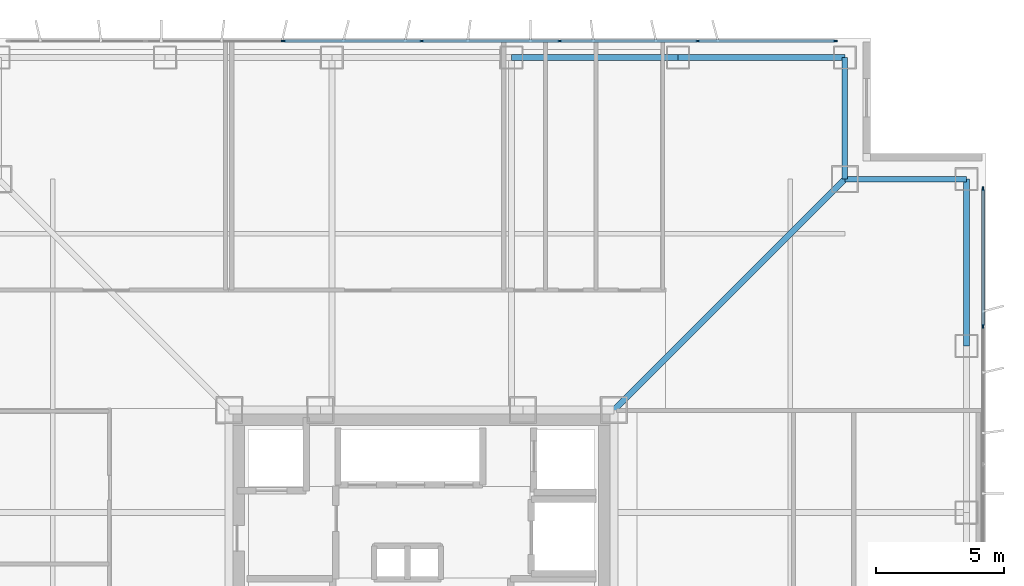
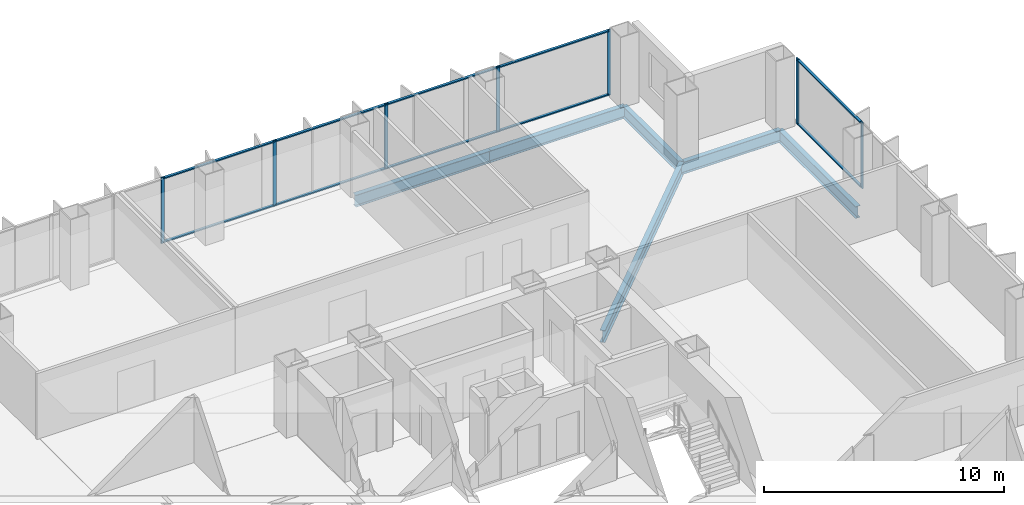
# One storey, part 11 of 17: 17 members, 6 beams, 2 elements without a shape of their own.
"""IFC4 building model written with IfcOpenShell, lengths in metres."""

from ifc_helpers import new_model, si_unit, direction, frame, origin, origin_2d, place, context, subcontext, project, spatial, rectangle, i_section, extrude, material, layer, layer_set, material_profile, profile_set, type_object, element, aggregate, save


model = new_model("IFC4")

# Units and contexts
model_context = context("Model", 3, precision=1e-05, world=origin(), true_north=direction((0.0, 1.0)))
body_context = subcontext(model_context, "Body", "Model", "MODEL_VIEW")
ifc_project = project(units=[si_unit("LENGTHUNIT", "METRE"), si_unit("AREAUNIT", "SQUARE_METRE"), si_unit("VOLUMEUNIT", "CUBIC_METRE"), si_unit("PLANEANGLEUNIT", "RADIAN"), si_unit("MASSUNIT", "GRAM", prefix="KILO")], contexts=[model_context])

# Site, building, storey
site_placement = place(None, origin())
site = spatial("IfcSite", under=ifc_project, at=site_placement, CompositionType="ELEMENT")
building_placement = place(site_placement, origin())
building = spatial("IfcBuilding", under=site, at=building_placement, Name="Trevonay Congress Spire", CompositionType="ELEMENT")
storey_placement = place(building_placement, frame((0.0, 0.0, 126.39990234375)))
storey = spatial("IfcBuildingStorey", under=building, at=storey_placement, Name="L32", CompositionType="ELEMENT", Elevation=126.39990234375)

# Beams
ifc_material_1 = material(Name="Steel ASTM A572 Grade 50", Category="steel")
ifc_material_profile_1 = material_profile(ifc_material_1, i_section(OverallWidth=0.22998046875, OverallDepth=0.616943359375, WebThickness=0.01318359375, FlangeThickness=0.022216796875, FilletRadius=0.01611328125, at=origin_2d()), Name="W610x140")
ifc_profile_set_1 = profile_set([ifc_material_profile_1], Name="Steel ASTM A572 Grade 50")
beam_type_1 = type_object("IfcBeamType", Name="BM-GIRD-W610X140", PredefinedType="BEAM", material=ifc_profile_set_1)
beam_placement = place(storey_placement, frame((7.5, 7.5, -0.54833984375), z_axis=(0.707106781187, 0.707106781187, 0.0), x_axis=(-0.707106781187, 0.707106781187, 0.0)))
element("IfcBeam", 1, at=beam_placement, inside=storey, type_object=beam_type_1, Name="L32 structural beam BM-L32-CDNE", PredefinedType="BEAM", context=body_context, shape_type="SweptSolid", body=[
    extrude(i_section(OverallWidth=0.22998046875, OverallDepth=0.616943359375, WebThickness=0.01318359375, FlangeThickness=0.022216796875, FilletRadius=0.01611328125, at=origin_2d()), origin(), (0.0, 0.0, 1.0), 12.72802734375),
])
ifc_material_profile_2 = material_profile(ifc_material_1, i_section(OverallWidth=0.22802734375, OverallDepth=0.60791015625, WebThickness=0.01123046875, FlangeThickness=0.017333984375, FilletRadius=0.01611328125, at=origin_2d()), Name="W610x113")
ifc_profile_set_2 = profile_set([ifc_material_profile_2], Name="Steel ASTM A572 Grade 50")
beam_type_2 = type_object("IfcBeamType", Name="BM-RING-W610X113", PredefinedType="BEAM", material=ifc_profile_set_2)
for number, where, z_axis, x_axis, name in (
    (2, (3.5, 21.25, -0.5439453125), (1.0, 0.0, 0.0), (0.0, 1.0, 0.0), "L32 structural beam BM-L32-PN4"),
    (3, (10.0, 21.25, -0.5439453125), (1.0, 0.0, 0.0), (0.0, 1.0, 0.0), "L32 structural beam BM-L32-PN5"),
    (4, (21.25, 10.0, -0.5439453125), (0.0, 1.0, 0.0), (-1.0, 0.0, 0.0), "L32 structural beam BM-L32-PE5"),
):
    element("IfcBeam", number, at=place(storey_placement, frame(where, z_axis=z_axis, x_axis=x_axis)), inside=storey, type_object=beam_type_2, Name=name, PredefinedType="BEAM", context=body_context, shape_type="SweptSolid", body=[
        extrude(i_section(OverallWidth=0.22802734375, OverallDepth=0.60791015625, WebThickness=0.01123046875, FlangeThickness=0.017333984375, FilletRadius=0.01611328125, at=origin_2d()), origin(), (0.0, 0.0, 1.0), 6.5),
    ])
for number, where, z_axis, x_axis, name in (
    (5, (16.5, 21.25, -0.5439453125), (0.0, -1.0, 0.0), (1.0, 0.0, 0.0), "L32 structural beam BM-L32-N1NE"),
    (6, (21.25, 16.5, -0.5439453125), (-1.0, 0.0, 0.0), (0.0, -1.0, 0.0), "L32 structural beam BM-L32-N2NE"),
):
    element("IfcBeam", number, at=place(storey_placement, frame(where, z_axis=z_axis, x_axis=x_axis)), inside=storey, type_object=beam_type_2, Name=name, PredefinedType="BEAM", context=body_context, shape_type="SweptSolid", body=[
        extrude(i_section(OverallWidth=0.22802734375, OverallDepth=0.60791015625, WebThickness=0.01123046875, FlangeThickness=0.017333984375, FilletRadius=0.01611328125, at=origin_2d()), origin(), (0.0, 0.0, 1.0), 4.75),
    ])

# Curtain wall, members
ifc_material_2 = material(Name="Pale Anodised Aluminium EN AW-6063-T6", Category="aluminium")
ifc_layer = layer(ifc_material_2, 0.175048828125, Name="Pale Anodised Aluminium EN AW-6063-T6")
ifc_layer_set = layer_set([ifc_layer], Name="Pale Anodised Aluminium EN AW-6063-T6")
curtain_wall_type = type_object("IfcCurtainWallType", Name="CW-SYS03-CONGRESS-PALE-METAL", PredefinedType="NOTDEFINED", material=ifc_layer_set)
curtain_wall_1_placement = place(storey_placement, origin())
curtain_wall_1 = element("IfcCurtainWall", 7, at=curtain_wall_1_placement, inside=storey, type_object=curtain_wall_type, Name="L32 N unitised curtain wall", PredefinedType="NOTDEFINED")
ifc_material_profile_3 = material_profile(ifc_material_2, rectangle(XDim=0.06005859375, YDim=0.159912109375, at=origin_2d()), Name="CW-MULLION-160-ALUMINIUM")
ifc_profile_set_3 = profile_set([ifc_material_profile_3], Name="Pale Anodised Aluminium EN AW-6063-T6")
member_type_1 = type_object("IfcMemberType", Name="CW-MULLION-160-ALUMINIUM", PredefinedType="MULLION", material=ifc_profile_set_3)
member_1_placement = place(storey_placement, frame((-5.38330078125, 21.8798828125, 0.0), z_axis=(0.0, 0.0, 1.0), x_axis=(0.0, 1.0, 0.0)))
member_1 = element("IfcMember", 8, at=member_1_placement, type_object=member_type_1, Name="CW03 mullion 3", PredefinedType="MULLION", context=body_context, shape_type="SweptSolid", body=[
    extrude(rectangle(XDim=0.06005859375, YDim=0.159912109375, at=origin_2d()), origin(), (0.0, 0.0, 1.0), 3.360107421875),
])
member_2_placement = place(storey_placement, frame((0.0, 21.8798828125, 0.0), z_axis=(0.0, 0.0, 1.0), x_axis=(0.0, 1.0, 0.0)))
member_2 = element("IfcMember", 9, at=member_2_placement, type_object=member_type_1, Name="CW03 mullion 4", PredefinedType="MULLION", context=body_context, shape_type="SweptSolid", body=[
    extrude(rectangle(XDim=0.06005859375, YDim=0.159912109375, at=origin_2d()), origin(), (0.0, 0.0, 1.0), 3.360107421875),
])
member_3_placement = place(storey_placement, frame((5.38330078125, 21.8798828125, 0.0), z_axis=(0.0, 0.0, 1.0), x_axis=(0.0, 1.0, 0.0)))
member_3 = element("IfcMember", 10, at=member_3_placement, type_object=member_type_1, Name="CW03 mullion 5", PredefinedType="MULLION", context=body_context, shape_type="SweptSolid", body=[
    extrude(rectangle(XDim=0.06005859375, YDim=0.159912109375, at=origin_2d()), origin(), (0.0, 0.0, 1.0), 3.360107421875),
])
member_4_placement = place(storey_placement, frame((10.7666015625, 21.8798828125, 0.0), z_axis=(0.0, 0.0, 1.0), x_axis=(0.0, 1.0, 0.0)))
member_4 = element("IfcMember", 11, at=member_4_placement, type_object=member_type_1, Name="CW03 mullion 6", PredefinedType="MULLION", context=body_context, shape_type="SweptSolid", body=[
    extrude(rectangle(XDim=0.06005859375, YDim=0.159912109375, at=origin_2d()), origin(), (0.0, 0.0, 1.0), 3.360107421875),
])
member_5_placement = place(storey_placement, frame((16.1201171875, 21.8798828125, 0.0), z_axis=(0.0, 0.0, 1.0), x_axis=(0.0, 1.0, 0.0)))
member_5 = element("IfcMember", 12, at=member_5_placement, type_object=member_type_1, Name="CW03 mullion 7", PredefinedType="MULLION", context=body_context, shape_type="SweptSolid", body=[
    extrude(rectangle(XDim=0.06005859375, YDim=0.159912109375, at=origin_2d()), origin(), (0.0, 0.0, 1.0), 3.360107421875),
])

curtain_wall_2_placement = place(storey_placement, origin())
curtain_wall_2 = element("IfcCurtainWall", 13, at=curtain_wall_2_placement, inside=storey, type_object=curtain_wall_type, Name="L32 E unitised curtain wall", PredefinedType="NOTDEFINED")
member_6_placement = place(storey_placement, frame((21.8798828125, 10.7666015625, 0.0), z_axis=(0.0, 0.0, 1.0), x_axis=(-1.0, 0.0, 0.0)))
member_6 = element("IfcMember", 14, at=member_6_placement, type_object=member_type_1, Name="CW03 mullion 6", PredefinedType="MULLION", context=body_context, shape_type="SweptSolid", body=[
    extrude(rectangle(XDim=0.06005859375, YDim=0.159912109375, at=origin_2d()), origin(), (0.0, 0.0, 1.0), 3.360107421875),
])
member_7_placement = place(storey_placement, frame((21.8798828125, 16.1201171875, 0.0), z_axis=(0.0, 0.0, 1.0), x_axis=(-1.0, 0.0, 0.0)))
member_7 = element("IfcMember", 15, at=member_7_placement, type_object=member_type_1, Name="CW03 mullion 7", PredefinedType="MULLION", context=body_context, shape_type="SweptSolid", body=[
    extrude(rectangle(XDim=0.06005859375, YDim=0.159912109375, at=origin_2d()), origin(), (0.0, 0.0, 1.0), 3.360107421875),
])

# Member
ifc_material_profile_4 = material_profile(ifc_material_2, rectangle(XDim=0.1201171875, YDim=0.06005859375, at=origin_2d()), Name="CW-TRANSOM-120-ALUMINIUM")
ifc_profile_set_4 = profile_set([ifc_material_profile_4], Name="Pale Anodised Aluminium EN AW-6063-T6")
member_type_2 = type_object("IfcMemberType", Name="CW-TRANSOM-120-ALUMINIUM", PredefinedType="USERDEFINED", material=ifc_profile_set_4)
member_8_placement = place(storey_placement, frame((-5.353271484375, 21.8798828125, 0.06005859375), z_axis=(1.0, 0.0, 0.0), x_axis=(0.0, 1.0, 0.0)))
member_8 = element("IfcMember", 16, at=member_8_placement, type_object=member_type_2, Name="CW03 transom 3.1", ObjectType="TRANSOM", PredefinedType="USERDEFINED", context=body_context, shape_type="SweptSolid", body=[
    extrude(rectangle(XDim=0.1201171875, YDim=0.06005859375, at=origin_2d()), origin(), (0.0, 0.0, 1.0), 5.3232421875),
])

member_9_placement = place(storey_placement, frame((-5.353271484375, 21.8798828125, 3.300048828125), z_axis=(1.0, 0.0, 0.0), x_axis=(0.0, 1.0, 0.0)))
member_9 = element("IfcMember", 17, at=member_9_placement, type_object=member_type_2, Name="CW03 transom 3.2", ObjectType="TRANSOM", PredefinedType="USERDEFINED", context=body_context, shape_type="SweptSolid", body=[
    extrude(rectangle(XDim=0.1201171875, YDim=0.06005859375, at=origin_2d()), origin(), (0.0, 0.0, 1.0), 5.3232421875),
])

member_10_placement = place(storey_placement, frame((0.030029296875, 21.8798828125, 0.06005859375), z_axis=(1.0, 0.0, 0.0), x_axis=(0.0, 1.0, 0.0)))
member_10 = element("IfcMember", 18, at=member_10_placement, type_object=member_type_2, Name="CW03 transom 4.1", ObjectType="TRANSOM", PredefinedType="USERDEFINED", context=body_context, shape_type="SweptSolid", body=[
    extrude(rectangle(XDim=0.1201171875, YDim=0.06005859375, at=origin_2d()), origin(), (0.0, 0.0, 1.0), 5.3232421875),
])

member_11_placement = place(storey_placement, frame((0.030029296875, 21.8798828125, 3.300048828125), z_axis=(1.0, 0.0, 0.0), x_axis=(0.0, 1.0, 0.0)))
member_11 = element("IfcMember", 19, at=member_11_placement, type_object=member_type_2, Name="CW03 transom 4.2", ObjectType="TRANSOM", PredefinedType="USERDEFINED", context=body_context, shape_type="SweptSolid", body=[
    extrude(rectangle(XDim=0.1201171875, YDim=0.06005859375, at=origin_2d()), origin(), (0.0, 0.0, 1.0), 5.3232421875),
])

member_12_placement = place(storey_placement, frame((5.413330078125, 21.8798828125, 0.06005859375), z_axis=(1.0, 0.0, 0.0), x_axis=(0.0, 1.0, 0.0)))
member_12 = element("IfcMember", 20, at=member_12_placement, type_object=member_type_2, Name="CW03 transom 5.1", ObjectType="TRANSOM", PredefinedType="USERDEFINED", context=body_context, shape_type="SweptSolid", body=[
    extrude(rectangle(XDim=0.1201171875, YDim=0.06005859375, at=origin_2d()), origin(), (0.0, 0.0, 1.0), 5.3232421875),
])

member_13_placement = place(storey_placement, frame((5.413330078125, 21.8798828125, 3.300048828125), z_axis=(1.0, 0.0, 0.0), x_axis=(0.0, 1.0, 0.0)))
member_13 = element("IfcMember", 21, at=member_13_placement, type_object=member_type_2, Name="CW03 transom 5.2", ObjectType="TRANSOM", PredefinedType="USERDEFINED", context=body_context, shape_type="SweptSolid", body=[
    extrude(rectangle(XDim=0.1201171875, YDim=0.06005859375, at=origin_2d()), origin(), (0.0, 0.0, 1.0), 5.3232421875),
])

member_14_placement = place(storey_placement, frame((10.796630859375, 21.8798828125, 0.06005859375), z_axis=(1.0, 0.0, 0.0), x_axis=(0.0, 1.0, 0.0)))
member_14 = element("IfcMember", 22, at=member_14_placement, type_object=member_type_2, Name="CW03 transom 6.1", ObjectType="TRANSOM", PredefinedType="USERDEFINED", context=body_context, shape_type="SweptSolid", body=[
    extrude(rectangle(XDim=0.1201171875, YDim=0.06005859375, at=origin_2d()), origin(), (0.0, 0.0, 1.0), 5.29345703125),
])

member_15_placement = place(storey_placement, frame((10.796630859375, 21.8798828125, 3.300048828125), z_axis=(1.0, 0.0, 0.0), x_axis=(0.0, 1.0, 0.0)))
member_15 = element("IfcMember", 23, at=member_15_placement, type_object=member_type_2, Name="CW03 transom 6.2", ObjectType="TRANSOM", PredefinedType="USERDEFINED", context=body_context, shape_type="SweptSolid", body=[
    extrude(rectangle(XDim=0.1201171875, YDim=0.06005859375, at=origin_2d()), origin(), (0.0, 0.0, 1.0), 5.29345703125),
])

aggregate(curtain_wall_1, [member_1, member_2, member_3, member_4, member_5, member_8, member_9, member_10, member_11, member_12, member_13, member_14, member_15])

member_16_placement = place(storey_placement, frame((21.8798828125, 10.796630859375, 0.06005859375), z_axis=(0.0, 1.0, 0.0), x_axis=(-1.0, 0.0, 0.0)))
member_16 = element("IfcMember", 24, at=member_16_placement, type_object=member_type_2, Name="CW03 transom 6.1", ObjectType="TRANSOM", PredefinedType="USERDEFINED", context=body_context, shape_type="SweptSolid", body=[
    extrude(rectangle(XDim=0.1201171875, YDim=0.06005859375, at=origin_2d()), origin(), (0.0, 0.0, 1.0), 5.29345703125),
])

member_17_placement = place(storey_placement, frame((21.8798828125, 10.796630859375, 3.300048828125), z_axis=(0.0, 1.0, 0.0), x_axis=(-1.0, 0.0, 0.0)))
member_17 = element("IfcMember", 25, at=member_17_placement, type_object=member_type_2, Name="CW03 transom 6.2", ObjectType="TRANSOM", PredefinedType="USERDEFINED", context=body_context, shape_type="SweptSolid", body=[
    extrude(rectangle(XDim=0.1201171875, YDim=0.06005859375, at=origin_2d()), origin(), (0.0, 0.0, 1.0), 5.29345703125),
])

aggregate(curtain_wall_2, [member_6, member_7, member_16, member_17])

save(model, "model.ifc")
